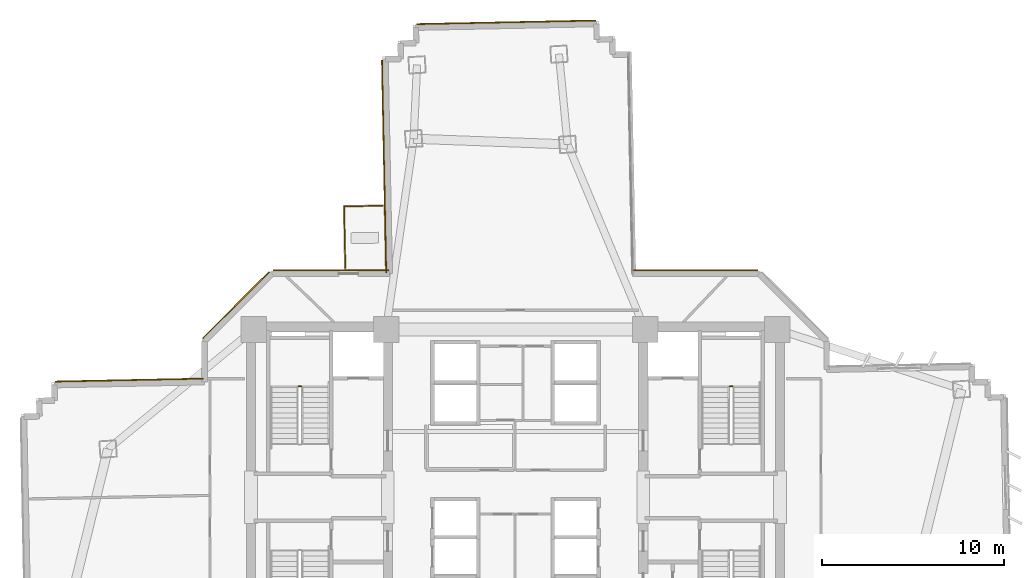
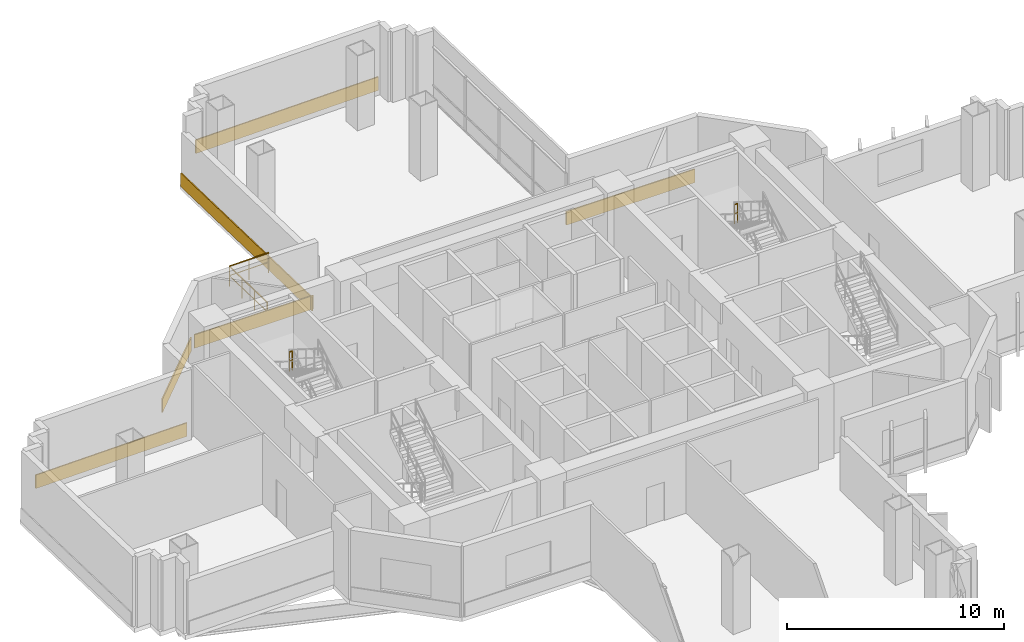
# One storey, part 14 of 15: 6 coverings, 4 railings.
"""IFC4 building model written with IfcOpenShell, lengths in metres."""

from ifc_helpers import new_model, si_unit, direction, frame, origin, origin_2d, place, context, subcontext, project, spatial, rectangle, extrude, source, transform, mapped, material, layer, layer_set, type_object, element, save


model = new_model("IFC4")

# Units and contexts
model_context = context("Model", 3, precision=1e-05, world=origin(), true_north=direction((0.0, 1.0)))
body_context = subcontext(model_context, "Body", "Model", "MODEL_VIEW")
ifc_project = project(units=[si_unit("LENGTHUNIT", "METRE"), si_unit("AREAUNIT", "SQUARE_METRE"), si_unit("VOLUMEUNIT", "CUBIC_METRE"), si_unit("PLANEANGLEUNIT", "RADIAN"), si_unit("MASSUNIT", "GRAM", prefix="KILO")], contexts=[model_context])

# Site, building, storey
site_placement = place(None, origin())
site = spatial("IfcSite", under=ifc_project, at=site_placement, CompositionType="ELEMENT")
building_placement = place(site_placement, origin())
building = spatial("IfcBuilding", under=site, at=building_placement, Name="Zahravan Cultural Tower", CompositionType="ELEMENT")
storey_placement = place(building_placement, frame((0.0, 0.0, 50.10009765625)))
storey = spatial("IfcBuildingStorey", under=building, at=storey_placement, Name="L10", CompositionType="ELEMENT", Elevation=50.10009765625)

# Railings
ifc_material_1 = material(Name="Steel ASTM A572 Grade 50", Category="steel")
railing_type_1 = type_object("IfcRailingType", Name="RL-BAL-1150", PredefinedType="BALUSTRADE", material=ifc_material_1)
railing_1_placement = place(storey_placement, frame((26.600830078125, 42.9462890625, 0.0)))
element("IfcRailing", 1, at=railing_1_placement, inside=storey, type_object=railing_type_1, Name="L10 Edge Balustrade GRD-TR-L10-NW-01", PredefinedType="BALUSTRADE", context=body_context, shape_type="SweptSolid", body=[
    extrude(rectangle(XDim=0.05, YDim=0.05, at=origin_2d()), frame((0.0, 0.0, 1.125), z_axis=(0.99980468136, 0.019763580911, 0.0), x_axis=(-0.019763580911, 0.99980468136, 0.0)), (0.0, 0.0, 1.0), 2.10009765625),
    extrude(rectangle(XDim=0.032, YDim=0.032, at=origin_2d()), frame((0.0, 0.0, 0.597900390625), z_axis=(0.99980468136, 0.019763580911, 0.0), x_axis=(-0.019763580911, 0.99980468136, 0.0)), (0.0, 0.0, 1.0), 2.10009765625),
    extrude(rectangle(XDim=0.04, YDim=0.04, at=origin_2d()), origin(), (0.0, 0.0, 1.0), 1.14990234375),
    extrude(rectangle(XDim=0.04, YDim=0.04, at=origin_2d()), frame((1.0498046875, 0.020751953125, 0.0)), (0.0, 0.0, 1.0), 1.14990234375),
    extrude(rectangle(XDim=0.04, YDim=0.04, at=origin_2d()), frame((2.099609375, 0.04150390625, 0.0)), (0.0, 0.0, 1.0), 1.14990234375),
])
railing_2_placement = place(storey_placement, frame((26.667724609375, 39.580078125, 0.0)))
element("IfcRailing", 2, at=railing_2_placement, inside=storey, type_object=railing_type_1, Name="L10 Edge Balustrade GRD-TR-L10-NW-02", PredefinedType="BALUSTRADE", context=body_context, shape_type="SweptSolid", body=[
    extrude(rectangle(XDim=0.05, YDim=0.05, at=origin_2d()), frame((0.0, 0.0, 1.125), z_axis=(-0.019868430033, 0.999802603261, 0.0), x_axis=(-0.999802603261, -0.019868430033, 0.0)), (0.0, 0.0, 1.0), 3.366943359375),
    extrude(rectangle(XDim=0.032, YDim=0.032, at=origin_2d()), frame((0.0, 0.0, 0.597900390625), z_axis=(-0.019868430033, 0.999802603261, 0.0), x_axis=(-0.999802603261, -0.019868430033, 0.0)), (0.0, 0.0, 1.0), 3.366943359375),
    extrude(rectangle(XDim=0.04, YDim=0.04, at=origin_2d()), origin(), (0.0, 0.0, 1.0), 1.14990234375),
    extrude(rectangle(XDim=0.04, YDim=0.04, at=origin_2d()), frame((-0.022216796875, 1.1220703125, 0.0)), (0.0, 0.0, 1.0), 1.14990234375),
    extrude(rectangle(XDim=0.04, YDim=0.04, at=origin_2d()), frame((-0.044677734375, 2.244140625, 0.0)), (0.0, 0.0, 1.0), 1.14990234375),
    extrude(rectangle(XDim=0.04, YDim=0.04, at=origin_2d()), frame((-0.06689453125, 3.3662109375, 0.0)), (0.0, 0.0, 1.0), 1.14990234375),
])
railing_type_2 = type_object("IfcRailingType", Name="RL-STAIR-GRD1150", PredefinedType="BALUSTRADE", material=ifc_material_1)
for number, where, name in (
    (3, (24.25, 33.080078125, 2.099853515625), "L10 ST-W1 stair guard 2"),
    (4, (47.89990234375, 33.080078125, 2.099853515625), "L10 ST-E1 stair guard 2"),
):
    element("IfcRailing", number, at=place(storey_placement, frame(where)), inside=storey, type_object=railing_type_2, Name=name, PredefinedType="BALUSTRADE", context=body_context, shape_type="SweptSolid", body=[
        extrude(rectangle(XDim=0.05, YDim=0.05, at=origin_2d()), frame((0.0, 0.0, 1.0751953125), z_axis=(-1.0, 0.0, 0.0), x_axis=(0.0, -1.0, 0.0)), (0.0, 0.0, 1.0), 0.14990234375),
        extrude(rectangle(XDim=0.032, YDim=0.032, at=origin_2d()), frame((0.0, 0.0, 0.572021484375), z_axis=(-1.0, 0.0, 0.0), x_axis=(0.0, -1.0, 0.0)), (0.0, 0.0, 1.0), 0.14990234375),
        extrude(rectangle(XDim=0.04, YDim=0.04, at=origin_2d()), origin(), (0.0, 0.0, 1.0), 1.10009765625),
        extrude(rectangle(XDim=0.04, YDim=0.04, at=origin_2d()), frame((-0.14990234375, 0.0, 0.0)), (0.0, 0.0, 1.0), 1.10009765625),
    ])

# Coverings
ifc_material_2 = material(Name="Terracotta ceramic cladding", Category="masonry")
ifc_layer = layer(ifc_material_2, 0.06005859375)
ifc_layer_set = layer_set([ifc_layer], Name="Terracotta ceramic cladding")
covering_type = type_object("IfcCoveringType", Name="COV-CLAD-TC60", PredefinedType="CLADDING", material=ifc_layer_set)
shared_shape_1 = source(origin(), body_context, "Body", "SweptSolid", [
    extrude(rectangle(XDim=9.820068359375, YDim=0.06005859375, at=origin_2d()), origin(), (0.0, 0.0, 1.0), 0.760009765625),
])
covering_1_placement = place(storey_placement, frame((35.481689453125, 53.039794921875, 0.02001953125), z_axis=(0.0, 0.0, 1.0), x_axis=(0.999802066131, 0.019895440708, 0.0)))
element("IfcCovering", 5, at=covering_1_placement, inside=storey, type_object=covering_type, Name="L10 Terracotta Spandrel Cladding 47", PredefinedType="CLADDING", context=body_context, shape_type="MappedRepresentation", body=[
    mapped(shared_shape_1, transform((0.0, 0.0, 0.0), x_axis=(1.0, 0.0, 0.0), y_axis=(0.0, 1.0, 0.0), z_axis=(0.0, 0.0, 1.0), scale=1.0)),
])
shared_shape_2 = source(origin(), body_context, "Body", "SweptSolid", [
    extrude(rectangle(XDim=5.157958984375, YDim=0.06005859375, at=origin_2d()), origin(), (0.0, 0.0, 1.0), 0.760009765625),
])
covering_2_placement = place(storey_placement, frame((20.668212890625, 37.53173828125, 0.02001953125), z_axis=(0.0, 0.0, 1.0), x_axis=(0.707106781187, 0.707106781187, 0.0)))
element("IfcCovering", 6, at=covering_2_placement, inside=storey, type_object=covering_type, Name="L10 Terracotta Spandrel Cladding 40", PredefinedType="CLADDING", context=body_context, shape_type="MappedRepresentation", body=[
    mapped(shared_shape_2, transform((0.0, 0.0, 0.0), x_axis=(1.0, 0.0, 0.0), y_axis=(0.0, 1.0, 0.0), z_axis=(0.0, 0.0, 1.0), scale=1.0)),
])
shared_shape_3 = source(origin(), body_context, "Body", "SweptSolid", [
    extrude(rectangle(XDim=8.129150390625, YDim=0.06005859375, at=origin_2d()), origin(), (0.0, 0.0, 1.0), 0.760009765625),
])
covering_3_placement = place(storey_placement, frame((14.822509765625, 33.425048828125, 0.02001953125), z_axis=(0.0, 0.0, 1.0), x_axis=(0.999801718737, 0.019912890543, 0.0)))
element("IfcCovering", 7, at=covering_3_placement, inside=storey, type_object=covering_type, Name="L10 Terracotta Spandrel Cladding 38", PredefinedType="CLADDING", context=body_context, shape_type="MappedRepresentation", body=[
    mapped(shared_shape_3, transform((0.0, 0.0, 0.0), x_axis=(1.0, 0.0, 0.0), y_axis=(0.0, 1.0, 0.0), z_axis=(0.0, 0.0, 1.0), scale=1.0)),
])
shared_shape_4 = source(origin(), body_context, "Body", "SweptSolid", [
    extrude(rectangle(XDim=6.336669921875, YDim=0.06005859375, at=origin_2d()), origin(), (0.0, 0.0, 1.0), 0.760009765625),
])
covering_4_placement = place(storey_placement, frame((25.87646484375, 39.445068359375, 0.02001953125), z_axis=(0.0, 0.0, 1.0), x_axis=(1.0, 0.0, 0.0)))
element("IfcCovering", 8, at=covering_4_placement, inside=storey, type_object=covering_type, Name="L10 Terracotta Spandrel Cladding 41", PredefinedType="CLADDING", context=body_context, shape_type="MappedRepresentation", body=[
    mapped(shared_shape_4, transform((0.0, 0.0, 0.0), x_axis=(1.0, 0.0, 0.0), y_axis=(0.0, 1.0, 0.0), z_axis=(0.0, 0.0, 1.0), scale=1.0)),
])
shared_shape_5 = source(origin(), body_context, "Body", "SweptSolid", [
    extrude(rectangle(XDim=11.6650390625, YDim=0.06005859375, at=origin_2d()), origin(), (0.0, 0.0, 1.0), 0.760009765625),
])
covering_5_placement = place(storey_placement, frame((28.792724609375, 45.1376953125, 0.02001953125), z_axis=(0.0, 0.0, 1.0), x_axis=(-0.019895440708, 0.999802066131, 0.0)))
element("IfcCovering", 9, at=covering_5_placement, inside=storey, type_object=covering_type, Name="L10 Terracotta Spandrel Cladding 42", PredefinedType="CLADDING", context=body_context, shape_type="MappedRepresentation", body=[
    mapped(shared_shape_5, transform((0.0, 0.0, 0.0), x_axis=(1.0, 0.0, 0.0), y_axis=(0.0, 1.0, 0.0), z_axis=(0.0, 0.0, 1.0), scale=1.0)),
])
shared_shape_6 = source(origin(), body_context, "Body", "SweptSolid", [
    extrude(rectangle(XDim=6.82470703125, YDim=0.06005859375, at=origin_2d()), origin(), (0.0, 0.0, 1.0), 0.760009765625),
])
covering_6_placement = place(storey_placement, frame((45.879638671875, 39.445068359375, 0.02001953125), z_axis=(0.0, 0.0, 1.0), x_axis=(1.0, 0.0, 0.0)))
element("IfcCovering", 10, at=covering_6_placement, inside=storey, type_object=covering_type, Name="L10 Terracotta Spandrel Cladding 52", PredefinedType="CLADDING", context=body_context, shape_type="MappedRepresentation", body=[
    mapped(shared_shape_6, transform((0.0, 0.0, 0.0), x_axis=(1.0, 0.0, 0.0), y_axis=(0.0, 1.0, 0.0), z_axis=(0.0, 0.0, 1.0), scale=1.0)),
])

save(model, "model.ifc")
